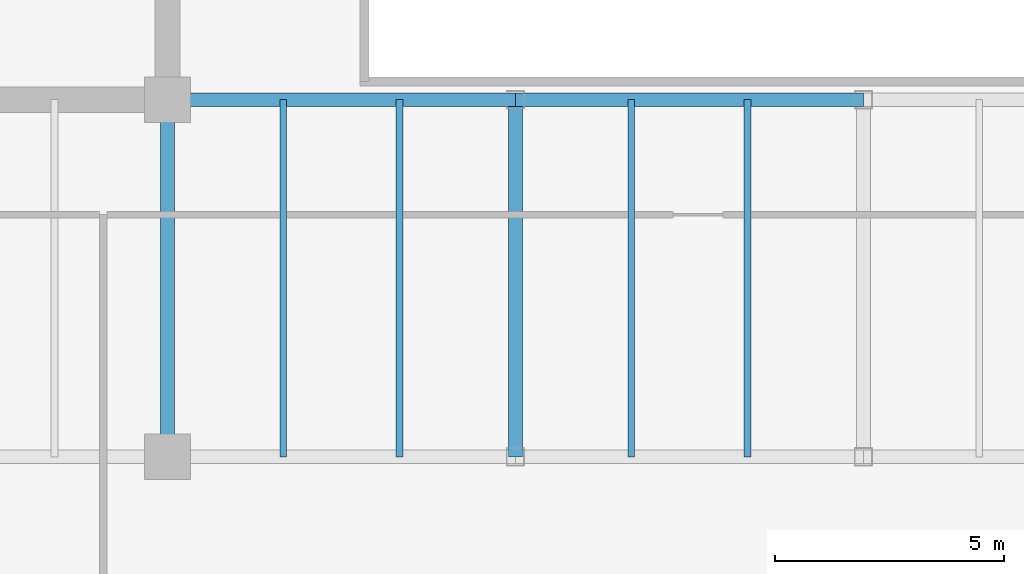
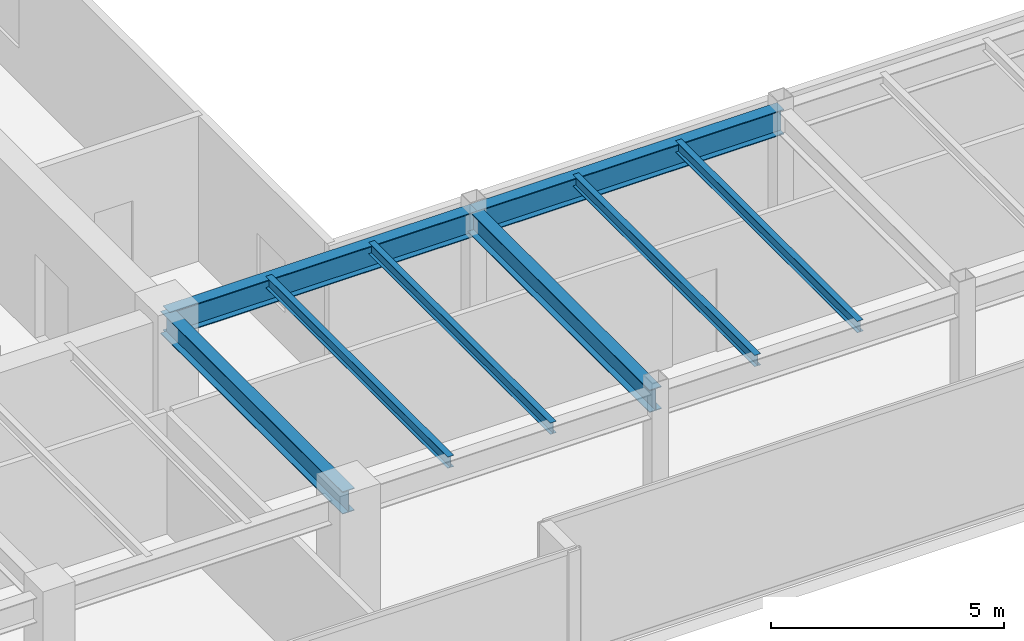
# One storey, part 8 of 33: 8 beams.
"""IFC4 building model written with IfcOpenShell, lengths in metres."""

import ifcopenshell
import ifcopenshell.guid

model = None  # the IFC model being written
_history = None  # IfcOwnerHistory: only IFC2X3 demands one
_inside = {}  # id of a spatial element -> (the spatial element, [elements in it])
_under = {}  # id of a project, library or spatial element -> (it, [spatial elements below it])
_declared = {}  # id of a project -> (the project, [libraries it declares])
_typed = {}  # id of a type object -> (the type object, [elements of that type])
_made_of = {}  # id of a material, layer set ... -> (it, [elements and type objects made of it])


def new_model(schema):
    """Start an empty IFC model of exactly this schema.

    Asked for "IFC4X3", IfcOpenShell would pick the latest addendum, in which some entities
    have other attributes; the version numbers below select the first issue.
    IFC2X3 requires an IfcOwnerHistory on every rooted entity: one is made here for all.
    """
    global model, _history
    if schema == "IFC4X3":
        model = ifcopenshell.file(schema_version=(4, 3, 0, 0))
    else:
        model = ifcopenshell.file(schema=schema)
    _inside.clear()
    _under.clear()
    _declared.clear()
    _typed.clear()
    _made_of.clear()
    _history = None
    if model.schema == "IFC2X3":
        org = make("IfcOrganization", Name="unknown")
        user = make(
            "IfcPersonAndOrganization",
            ThePerson=make("IfcPerson", FamilyName="unknown"),
            TheOrganization=org,
        )
        app = make(
            "IfcApplication",
            ApplicationDeveloper=org,
            Version="unknown",
            ApplicationFullName="unknown",
            ApplicationIdentifier="unknown",
        )
        _history = make(
            "IfcOwnerHistory",
            OwningUser=user,
            OwningApplication=app,
            ChangeAction="ADDED",
            CreationDate=0,
        )
    return model


def make(cls, **values):
    """One entity of the class cls with the attributes given. An attribute that is None is left unset."""
    return model.create_entity(
        cls, **{name: value for name, value in values.items() if value is not None}
    )


def rooted(cls, **values):
    """An entity with a GlobalId (a new one), such as an element, a storey or a relation."""
    return make(cls, GlobalId=ifcopenshell.guid.new(), OwnerHistory=_history, **values)


def si_unit(unit_type, name, prefix=None):
    """IfcSIUnit, for example si_unit("LENGTHUNIT", "METRE", prefix="MILLI")."""
    return make("IfcSIUnit", UnitType=unit_type, Prefix=prefix, Name=name)


def assignment(units):
    """IfcUnitAssignment: the units of a project."""
    return None if units is None else make("IfcUnitAssignment", Units=units)


def point(xyz):
    """IfcCartesianPoint."""
    return None if xyz is None else make("IfcCartesianPoint", Coordinates=xyz)


def direction(xyz):
    """IfcDirection."""
    return None if xyz is None else make("IfcDirection", DirectionRatios=xyz)


def frame(location, z_axis=None, x_axis=None):
    """IfcAxis2Placement3D, a coordinate frame: its origin and axes. An axis left out is left unset."""
    return make(
        "IfcAxis2Placement3D",
        Location=point(location),
        Axis=direction(z_axis),
        RefDirection=direction(x_axis),
    )


def frame_2d(location, x_axis=None):
    """IfcAxis2Placement2D, a coordinate frame in the plane: its origin and x axis."""
    return make(
        "IfcAxis2Placement2D", Location=point(location), RefDirection=direction(x_axis)
    )


def origin():
    """The frame at (0, 0, 0) with its axes left unset."""
    return frame((0.0, 0.0, 0.0))


def origin_2d():
    """The frame at (0, 0) in the plane with its x axis left unset."""
    return frame_2d((0.0, 0.0))


def place(relative_to, where):
    """IfcLocalPlacement: puts the frame where relative to a parent placement (None: the world)."""
    return make(
        "IfcLocalPlacement", PlacementRelTo=relative_to, RelativePlacement=where
    )


def context(
    kind, dimensions, precision=None, world=None, true_north=None, identifier=None
):
    """IfcGeometricRepresentationContext, for example the 3D "Model" context."""
    return make(
        "IfcGeometricRepresentationContext",
        ContextIdentifier=identifier,
        ContextType=kind,
        CoordinateSpaceDimension=dimensions,
        Precision=precision,
        WorldCoordinateSystem=world,
        TrueNorth=true_north,
    )


def subcontext(parent, identifier, kind, view, scale=None):
    """IfcGeometricRepresentationSubContext, for example "Body" below "Model"."""
    return make(
        "IfcGeometricRepresentationSubContext",
        ContextIdentifier=identifier,
        ContextType=kind,
        ParentContext=parent,
        TargetScale=scale,
        TargetView=view,
    )


def project(units=None, contexts=None):
    """IfcProject with its units and contexts."""
    return rooted(
        "IfcProject",
        Name="project",
        RepresentationContexts=contexts,
        UnitsInContext=assignment(units),
    )


def spatial(cls, under=None, at=None, **own):
    """A site, building, storey or space (cls), placed at a placement, below another one or the project."""
    s = rooted(cls, ObjectPlacement=at, **own)
    if under is not None:
        _under.setdefault(under.id(), (under, []))[1].append(s)
    return s


def profile(cls, at=None, kind="AREA", **sizes):
    """A parametric profile (cls). Its sizes go by their IFC names, for example OverallWidth=200.0."""
    return make(cls, ProfileType=kind, Position=at, **sizes)


def i_section(**sizes):
    """IfcIShapeProfileDef."""
    return profile("IfcIShapeProfileDef", **sizes)


def extrude(swept, where, along, depth):
    """IfcExtrudedAreaSolid: the profile swept, set in the frame where, extruded along a direction by depth."""
    return make(
        "IfcExtrudedAreaSolid",
        SweptArea=swept,
        Position=where,
        ExtrudedDirection=direction(along),
        Depth=depth,
    )


def shape(context_of_items, identifier, shape_type, items):
    """IfcShapeRepresentation: the items that make up one representation, for example the "Body"."""
    return make(
        "IfcShapeRepresentation",
        ContextOfItems=context_of_items,
        RepresentationIdentifier=identifier,
        RepresentationType=shape_type,
        Items=items,
    )


def source(mapping_origin, context_of_items, identifier, shape_type, items):
    """IfcRepresentationMap: a shape defined once, which mapped items show again and again."""
    return make(
        "IfcRepresentationMap",
        MappingOrigin=mapping_origin,
        MappedRepresentation=shape(context_of_items, identifier, shape_type, items),
    )


def transform(
    local_origin,
    x_axis=None,
    y_axis=None,
    z_axis=None,
    scale=None,
    scale2=None,
    scale3=None,
    uniform=True,
):
    """IfcCartesianTransformationOperator3D, or its non-uniform kind. x_axis, y_axis, z_axis: its Axis1, 2, 3."""
    if uniform:
        return make(
            "IfcCartesianTransformationOperator3D",
            Axis1=direction(x_axis),
            Axis2=direction(y_axis),
            LocalOrigin=point(local_origin),
            Scale=scale,
            Axis3=direction(z_axis),
        )
    return make(
        "IfcCartesianTransformationOperator3DnonUniform",
        Axis1=direction(x_axis),
        Axis2=direction(y_axis),
        LocalOrigin=point(local_origin),
        Scale=scale,
        Axis3=direction(z_axis),
        Scale2=scale2,
        Scale3=scale3,
    )


def mapped(mapping_source, mapping_target):
    """IfcMappedItem: shows the shape of a source again, moved by a transform."""
    return make(
        "IfcMappedItem", MappingSource=mapping_source, MappingTarget=mapping_target
    )


def material(Name=None, Category=None):
    """IfcMaterial."""
    return make("IfcMaterial", Name=Name, Category=Category)


def material_profile(
    of_material, cross_section, Name=None, Category=None, Priority=None
):
    """IfcMaterialProfile: a cross section and its material."""
    return make(
        "IfcMaterialProfile",
        Name=Name,
        Material=of_material,
        Profile=cross_section,
        Priority=Priority,
        Category=Category,
    )


def profile_set(profiles, Name=None, composite=None):
    """IfcMaterialProfileSet."""
    return make(
        "IfcMaterialProfileSet",
        Name=Name,
        MaterialProfiles=profiles,
        CompositeProfile=composite,
    )


def made_of(thing, what):
    """Note that an element or type object is made of a material, layer set ...; save() writes the relation."""
    if what is not None:
        _made_of.setdefault(what.id(), (what, []))[1].append(thing)
    return thing


def type_object(cls, material=None, **own):
    """A type object (cls), such as IfcWallType, which elements share."""
    return made_of(rooted(cls, **own), material)


def type_shapes(of_type, sources):
    """Give a type object the sources (RepresentationMaps) that its elements show as mapped items."""
    of_type.RepresentationMaps = sources


def element(
    cls,
    number,
    at=None,
    inside=None,
    cuts=None,
    type_object=None,
    material=None,
    context=None,
    identifier="Body",
    shape_type=None,
    held_by="IfcProductDefinitionShape",
    body=None,
    shapes=None,
    **own,
):
    """One element of the class cls, such as IfcWall. Its Tag is "e" and its number.

    at: its placement. inside: the storey or other place that contains it. cuts: it is an
    opening in that element (IfcRelVoidsElement). A single representation is given by context,
    identifier, shape_type and body (its items); several are given by shapes. held_by: the class
    of the entity that holds the representations. save() writes the other relations.
    """
    e = rooted(cls, Tag="e%d" % number, ObjectPlacement=at, **own)
    if body is not None:
        shapes = [shape(context, identifier, shape_type, body)]
    if shapes is not None:
        e.Representation = make(held_by, Representations=shapes)
    if inside is not None:
        _inside.setdefault(inside.id(), (inside, []))[1].append(e)
    if cuts is not None:
        rooted(
            "IfcRelVoidsElement", RelatingBuildingElement=cuts, RelatedOpeningElement=e
        )
    if type_object is not None:
        _typed.setdefault(type_object.id(), (type_object, []))[1].append(e)
    return made_of(e, material)


def aggregate(whole, parts):
    """IfcRelAggregates: a whole, such as a stair, and the parts it consists of."""
    return rooted("IfcRelAggregates", RelatingObject=whole, RelatedObjects=parts)


def save(model, path):
    """Write the relations noted so far, then the file.

    IfcRelAggregates (storeys below a building ...), IfcRelContainedInSpatialStructure (elements
    in a storey), IfcRelDefinesByType, IfcRelAssociatesMaterial and IfcRelDeclares: one each for
    every whole, place, type object, material and project.
    """
    for whole, parts in _under.values():
        aggregate(whole, parts)
    for where, things in _inside.values():
        rooted(
            "IfcRelContainedInSpatialStructure",
            RelatedElements=things,
            RelatingStructure=where,
        )
    for kind, things in _typed.values():
        rooted("IfcRelDefinesByType", RelatedObjects=things, RelatingType=kind)
    for what, things in _made_of.values():
        rooted("IfcRelAssociatesMaterial", RelatedObjects=things, RelatingMaterial=what)
    for by, libraries in _declared.values():
        rooted("IfcRelDeclares", RelatingContext=by, RelatedDefinitions=libraries)
    model.write(path)


model = new_model("IFC4")

# Units and contexts
model_context = context("Model", 3, precision=1e-05, world=origin(), true_north=direction((0.0, 1.0)))
body_context = subcontext(model_context, "Body", "Model", "MODEL_VIEW")
ifc_project = project(units=[si_unit("LENGTHUNIT", "METRE"), si_unit("AREAUNIT", "SQUARE_METRE"), si_unit("VOLUMEUNIT", "CUBIC_METRE"), si_unit("PLANEANGLEUNIT", "RADIAN"), si_unit("MASSUNIT", "GRAM", prefix="KILO")], contexts=[model_context])

# Site, building, storey
site_placement = place(None, origin())
site = spatial("IfcSite", under=ifc_project, at=site_placement, CompositionType="ELEMENT")
building_placement = place(site_placement, origin())
building = spatial("IfcBuilding", under=site, at=building_placement, Name="Haelvirn Gate Laboratories", CompositionType="ELEMENT")
storey_placement = place(building_placement, frame((0.0, 0.0, 230.10009765625)))
storey = spatial("IfcBuildingStorey", under=building, at=storey_placement, Name="L55", CompositionType="ELEMENT", Elevation=230.10009765625)

# Beams
ifc_material = material(Name="Steel SM355", Category="steel")
ifc_material_profile_1 = material_profile(ifc_material, i_section(OverallWidth=0.14990234375, OverallDepth=0.300048828125, WebThickness=0.006591796875, FlangeThickness=0.009033203125, at=origin_2d()), Name="H-300x150x6.5x9")
ifc_profile_set_1 = profile_set([ifc_material_profile_1], Name="Steel SM355")
beam_type_1 = type_object("IfcBeamType", Name="BM-J-300", PredefinedType="JOIST", material=ifc_profile_set_1)
shared_shape_1 = source(origin(), body_context, "Body", "SweptSolid", [
    extrude(i_section(OverallWidth=0.14990234375, OverallDepth=0.300048828125, WebThickness=0.006591796875, FlangeThickness=0.009033203125, at=origin_2d()), origin(), (0.0, 0.0, 1.0), 7.800048828125),
])
type_shapes(beam_type_1, [shared_shape_1])
for number, where, z_axis, x_axis, name in (
    (1, (24.72998046875, 7.0, 3.64990234375), (0.0, 1.0, 0.0), (-1.0, 0.0, 0.0), "L55 Composite Lab Joist South X24.73"),
    (2, (27.27001953125, 7.0, 3.64990234375), (0.0, 1.0, 0.0), (-1.0, 0.0, 0.0), "L55 Composite Lab Joist South X27.27"),
    (3, (32.330078125, 7.0, 3.64990234375), (0.0, 1.0, 0.0), (-1.0, 0.0, 0.0), "L55 Composite Lab Joist South X32.33"),
    (4, (34.8701171875, 7.0, 3.64990234375), (0.0, 1.0, 0.0), (-1.0, 0.0, 0.0), "L55 Composite Lab Joist South X34.87"),
):
    element("IfcBeam", number, at=place(storey_placement, frame(where, z_axis=z_axis, x_axis=x_axis)), inside=storey, type_object=beam_type_1, Name=name, PredefinedType="JOIST", context=body_context, shape_type="MappedRepresentation", body=[
        mapped(shared_shape_1, transform((0.0, 0.0, 0.0), scale=1.0)),
    ])
ifc_material_profile_2 = material_profile(ifc_material, i_section(OverallWidth=0.300048828125, OverallDepth=0.587890625, WebThickness=0.011962890625, FlangeThickness=0.02001953125, at=origin_2d()), Name="H-588x300x12x20")
ifc_profile_set_2 = profile_set([ifc_material_profile_2], Name="Steel SM355")
beam_type_2 = type_object("IfcBeamType", Name="BM-G-588", PredefinedType="BEAM", material=ifc_profile_set_2)
shared_shape_2 = source(origin(), body_context, "Body", "SweptSolid", [
    extrude(i_section(OverallWidth=0.300048828125, OverallDepth=0.587890625, WebThickness=0.011962890625, FlangeThickness=0.02001953125, at=origin_2d()), origin(), (0.0, 0.0, 1.0), 7.800048828125),
])
type_shapes(beam_type_2, [shared_shape_2])
for number, where, z_axis, x_axis, name in (
    (5, (22.199951171875, 7.0, 3.505859375), (0.0, 1.0, 0.0), (-1.0, 0.0, 0.0), "L55 Frame Girder X22.2 (7.0-14.8)"),
    (6, (29.800048828125, 7.0, 3.505859375), (0.0, 1.0, 0.0), (-1.0, 0.0, 0.0), "L55 Frame Girder X29.8 (7.0-14.8)"),
):
    element("IfcBeam", number, at=place(storey_placement, frame(where, z_axis=z_axis, x_axis=x_axis)), inside=storey, type_object=beam_type_2, Name=name, PredefinedType="BEAM", context=body_context, shape_type="MappedRepresentation", body=[
        mapped(shared_shape_2, transform((0.0, 0.0, 0.0), scale=1.0)),
    ])
ifc_material_profile_3 = material_profile(ifc_material, i_section(OverallWidth=0.300048828125, OverallDepth=0.64990234375, WebThickness=0.012939453125, FlangeThickness=0.02197265625, at=origin_2d()), Name="H-650x300x13x22")
ifc_profile_set_3 = profile_set([ifc_material_profile_3], Name="Steel SM355")
beam_type_3 = type_object("IfcBeamType", Name="BM-G-650", PredefinedType="BEAM", material=ifc_profile_set_3)
shared_shape_3 = source(origin(), body_context, "Body", "SweptSolid", [
    extrude(i_section(OverallWidth=0.300048828125, OverallDepth=0.64990234375, WebThickness=0.012939453125, FlangeThickness=0.02197265625, at=origin_2d()), origin(), (0.0, 0.0, 1.0), 7.60009765625),
])
beam_1_placement = place(storey_placement, frame((22.199951171875, 14.800048828125, 3.474853515625), z_axis=(1.0, 0.0, 0.0), x_axis=(0.0, 1.0, 0.0)))
element("IfcBeam", 7, at=beam_1_placement, inside=storey, type_object=beam_type_3, Name="L55 Primary Girder Y14.8 (22.2-29.8)", PredefinedType="BEAM", context=body_context, shape_type="MappedRepresentation", body=[
    mapped(shared_shape_3, transform((0.0, 0.0, 0.0), scale=1.0)),
])
shared_shape_4 = source(origin(), body_context, "Body", "SweptSolid", [
    extrude(i_section(OverallWidth=0.300048828125, OverallDepth=0.64990234375, WebThickness=0.012939453125, FlangeThickness=0.02197265625, at=origin_2d()), origin(), (0.0, 0.0, 1.0), 7.599853515625),
])
type_shapes(beam_type_3, [shared_shape_3, shared_shape_4])
beam_2_placement = place(storey_placement, frame((29.800048828125, 14.800048828125, 3.474853515625), z_axis=(1.0, 0.0, 0.0), x_axis=(0.0, 1.0, 0.0)))
element("IfcBeam", 8, at=beam_2_placement, inside=storey, type_object=beam_type_3, Name="L55 Primary Girder Y14.8 (29.8-37.4)", PredefinedType="BEAM", context=body_context, shape_type="MappedRepresentation", body=[
    mapped(shared_shape_4, transform((0.0, 0.0, 0.0), scale=1.0)),
])

save(model, "model.ifc")
